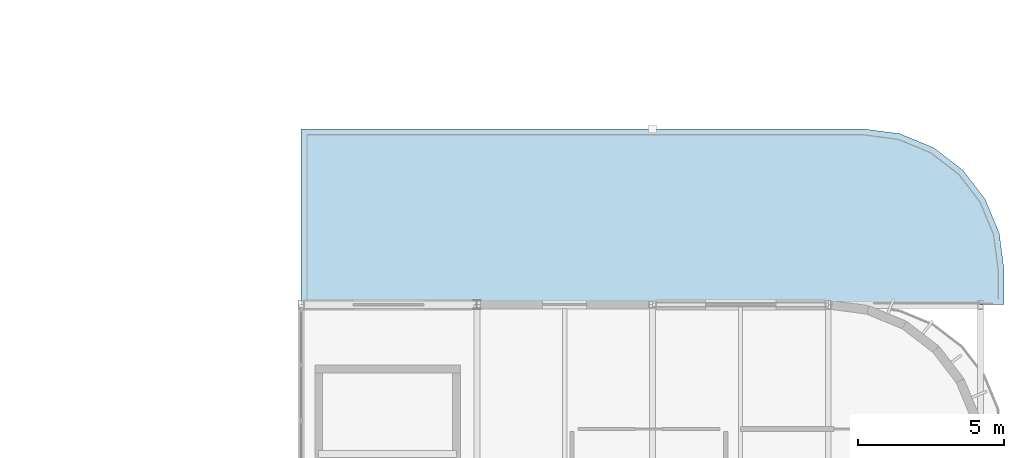
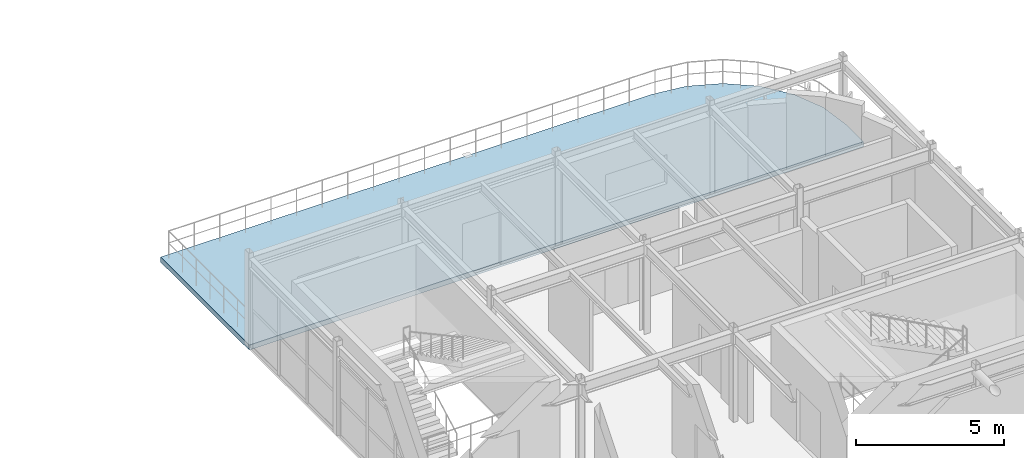
# One storey, part 12 of 27: 1 slab.
"""IFC4 building model written with IfcOpenShell, lengths in metres."""

from ifc_helpers import new_model, si_unit, direction, frame, origin, place, context, subcontext, project, spatial, polyline, outline, extrude, material, layer, layer_set, type_object, element, save


model = new_model("IFC4")

# Units and contexts
model_context = context("Model", 3, precision=1e-05, world=origin(), true_north=direction((0.0, 1.0)))
body_context = subcontext(model_context, "Body", "Model", "MODEL_VIEW")
ifc_project = project(units=[si_unit("LENGTHUNIT", "METRE"), si_unit("AREAUNIT", "SQUARE_METRE"), si_unit("VOLUMEUNIT", "CUBIC_METRE"), si_unit("PLANEANGLEUNIT", "RADIAN"), si_unit("MASSUNIT", "GRAM", prefix="KILO")], contexts=[model_context])

# Site, building, storey
site_placement = place(None, origin())
site = spatial("IfcSite", under=ifc_project, at=site_placement, CompositionType="ELEMENT")
building_placement = place(site_placement, origin())
building = spatial("IfcBuilding", under=site, at=building_placement, Name="Varnakota Square Police Headquarters", CompositionType="ELEMENT")
storey_placement = place(building_placement, frame((0.0, 0.0, 26.10009765625)))
storey = spatial("IfcBuildingStorey", under=building, at=storey_placement, Name="L06", CompositionType="ELEMENT", Elevation=26.10009765625)

# Slab
ifc_material = material(Name="Concrete M40", Category="concrete")
ifc_layer = layer(ifc_material, 0.2099609375, Name="Concrete M40")
ifc_layer_set = layer_set([ifc_layer], Name="Concrete M40")
slab_type = type_object("IfcSlabType", Name="SL-TERR-210", PredefinedType="FLOOR", material=ifc_layer_set)
slab_placement = place(storey_placement, frame((0.0, 0.0, -0.210205078125)))
element("IfcSlab", 1, at=slab_placement, inside=storey, type_object=slab_type, Name="L06 Fire Refuge Terrace Slab", PredefinedType="FLOOR", context=body_context, shape_type="SweptSolid", body=[
    extrude(outline(polyline([(138.0, 39.0), (162.0, 39.0), (162.0, 40.199951171875), (161.83642578125, 41.4423828125), (161.35693359375, 42.60009765625), (160.593994140625, 43.593994140625), (159.60009765625, 44.35693359375), (158.4423828125, 44.83642578125), (157.199951171875, 45.0), (138.0, 45.0), (138.0, 39.0)])), origin(), (0.0, 0.0, 1.0), 0.210205078125),
])

save(model, "model.ifc")
